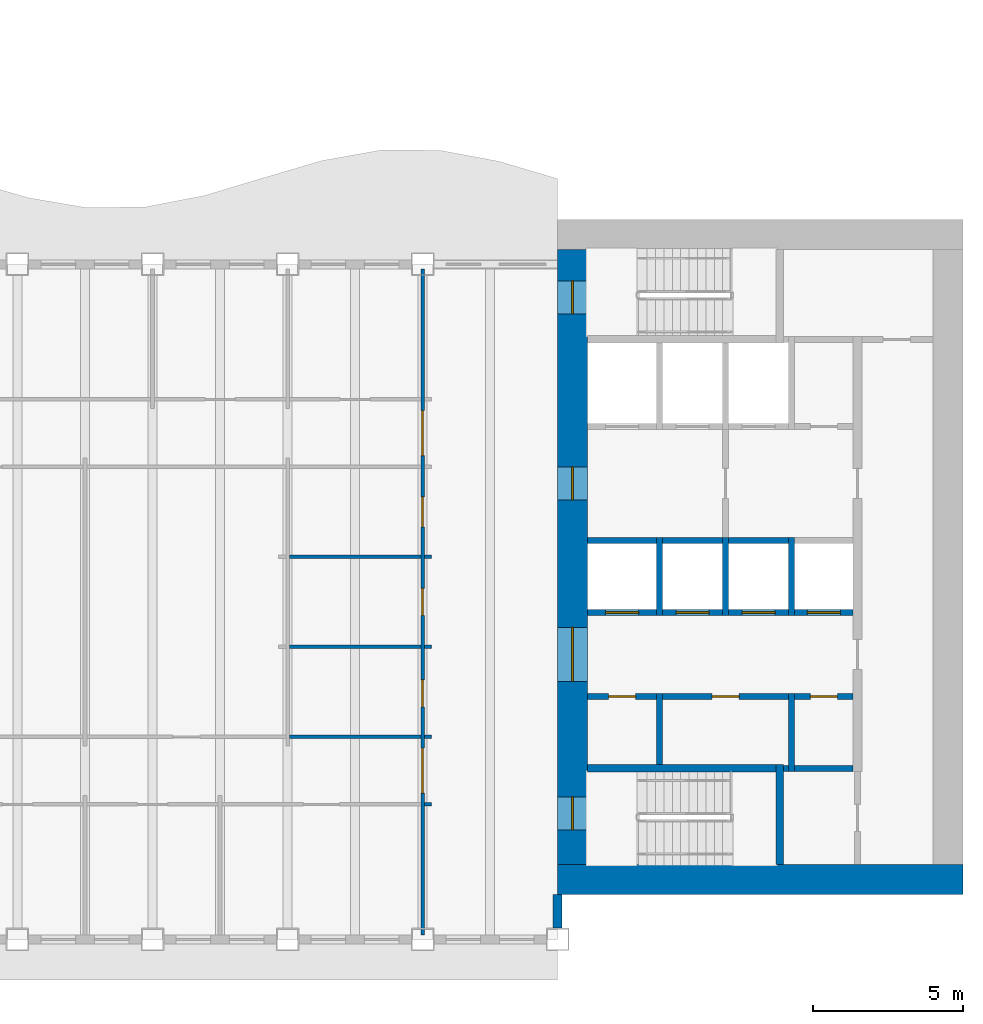
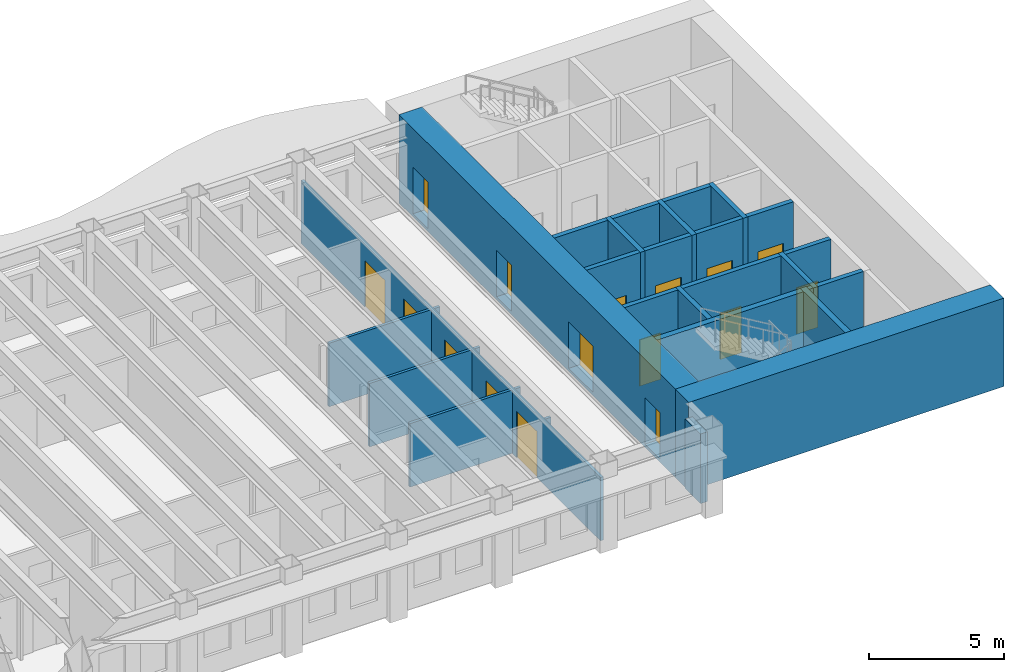
# One storey, part 6 of 17: 30 walls, 16 doors, 16 openings.
"""IFC4 building model written with IfcOpenShell, lengths in metres."""

from ifc_helpers import new_model, si_unit, direction, frame, frame_2d, origin, place, context, subcontext, project, spatial, rectangle, extrude, material, layer, layer_set, type_object, element, fill, save


model = new_model("IFC4")

# Units and contexts
model_context = context("Model", 3, precision=1e-05, world=origin(), true_north=direction((0.0, 1.0)))
body_context = subcontext(model_context, "Body", "Model", "MODEL_VIEW")
ifc_project = project(units=[si_unit("LENGTHUNIT", "METRE"), si_unit("AREAUNIT", "SQUARE_METRE"), si_unit("VOLUMEUNIT", "CUBIC_METRE"), si_unit("PLANEANGLEUNIT", "RADIAN"), si_unit("MASSUNIT", "GRAM", prefix="KILO")], contexts=[model_context])

# Site, building, storey
site_placement = place(None, origin())
site = spatial("IfcSite", under=ifc_project, at=site_placement, CompositionType="ELEMENT")
building_placement = place(site_placement, origin())
building = spatial("IfcBuilding", under=site, at=building_placement, Name="Sennacour Bend Tower", CompositionType="ELEMENT")
storey_placement = place(building_placement, frame((0.0, 0.0, 219.0)))
storey = spatial("IfcBuildingStorey", under=building, at=storey_placement, Name="L50", CompositionType="ELEMENT", Elevation=219.0)

# Wall
ifc_material_1 = material(Name="Concrete C60/75", Category="concrete")
ifc_layer_1 = layer(ifc_material_1, 1.0, Name="Concrete C60/75", Category="concrete")
ifc_layer_set_1 = layer_set([ifc_layer_1], Name="Concrete C60/75")
wall_type_1 = type_object("IfcWallType", Name="Core wall 1000 C60/75", PredefinedType="SHEAR", material=ifc_layer_set_1)
wall_1_placement = place(storey_placement, frame((67.5, 0.5, -0.14990234375), z_axis=(0.0, 0.0, 1.0), x_axis=(-1.0, 0.0, 0.0)))
element("IfcWall", 1, at=wall_1_placement, inside=storey, type_object=wall_type_1, Name="Core A wall L50 S", PredefinedType="SHEAR", context=body_context, shape_type="SweptSolid", body=[
    extrude(rectangle(XDim=13.5, YDim=1.0, at=frame_2d((6.75, 0.0))), origin(), (0.0, 0.0, 1.0), 4.0),
])

# Wall, openings, doors
wall_2_placement = place(storey_placement, frame((54.5, 1.0, -0.14990234375), z_axis=(0.0, 0.0, 1.0), x_axis=(0.0, 1.0, 0.0)))
wall_2 = element("IfcWall", 2, at=wall_2_placement, inside=storey, type_object=wall_type_1, Name="Core A wall L50 W", PredefinedType="SHEAR", context=body_context, shape_type="SweptSolid", body=[
    extrude(rectangle(XDim=20.5, YDim=1.0, at=frame_2d((10.25, 0.0))), origin(), (0.0, 0.0, 1.0), 4.0),
])
opening_1_placement = place(wall_2_placement, frame((6.10009765625, 0.0, 0.14990234375)))
opening_1 = element("IfcOpeningElement", 3, at=opening_1_placement, cuts=wall_2, Name="Opening CD", PredefinedType="OPENING", context=body_context, shape_type="SweptSolid", body=[
    extrude(rectangle(XDim=1.800048828125, YDim=2.10009765625, at=frame_2d((0.89990234375, 1.050048828125))), frame((0.0, 0.510009765625, 0.0), z_axis=(0.0, -1.0, 0.0), x_axis=(1.0, 0.0, 0.0)), (0.0, 0.0, 1.0), 1.02001953125),
])
opening_2_placement = place(wall_2_placement, frame((12.14990234375, 0.0, 0.14990234375)))
opening_2 = element("IfcOpeningElement", 4, at=opening_2_placement, cuts=wall_2, Name="Opening FD", PredefinedType="OPENING", context=body_context, shape_type="SweptSolid", body=[
    extrude(rectangle(XDim=1.10009765625, YDim=2.10009765625, at=frame_2d((0.550048828125, 1.050048828125))), frame((0.0, 0.510009765625, 0.0), z_axis=(0.0, -1.0, 0.0), x_axis=(1.0, 0.0, 0.0)), (0.0, 0.0, 1.0), 1.02001953125),
])
opening_3_placement = place(wall_2_placement, frame((1.14990234375, 0.0, 0.14990234375)))
opening_3 = element("IfcOpeningElement", 5, at=opening_3_placement, cuts=wall_2, Name="Opening SD", PredefinedType="OPENING", context=body_context, shape_type="SweptSolid", body=[
    extrude(rectangle(XDim=1.10009765625, YDim=2.10009765625, at=frame_2d((0.550048828125, 1.050048828125))), frame((0.0, 0.510009765625, 0.0), z_axis=(0.0, -1.0, 0.0), x_axis=(1.0, 0.0, 0.0)), (0.0, 0.0, 1.0), 1.02001953125),
])
opening_4_placement = place(wall_2_placement, frame((18.35009765625, 0.0, 0.14990234375)))
opening_4 = element("IfcOpeningElement", 6, at=opening_4_placement, cuts=wall_2, Name="Opening SD", PredefinedType="OPENING", context=body_context, shape_type="SweptSolid", body=[
    extrude(rectangle(XDim=1.10009765625, YDim=2.10009765625, at=frame_2d((0.550048828125, 1.050048828125))), frame((0.0, 0.510009765625, 0.0), z_axis=(0.0, -1.0, 0.0), x_axis=(1.0, 0.0, 0.0)), (0.0, 0.0, 1.0), 1.02001953125),
])
ifc_material_2 = material(Name="Painted steel", Category="steel")
door_type_1 = type_object("IfcDoorType", Name="DR-FFL-1100", OperationType="NOTDEFINED", PredefinedType="DOOR", material=ifc_material_2)
door_1_placement = place(opening_2_placement, origin())
door_1 = element("IfcDoor", 7, at=door_1_placement, inside=storey, type_object=door_type_1, Name="Door", OperationType="SINGLE_SWING_RIGHT", OverallHeight=2.10009765625, OverallWidth=1.10009765625, PredefinedType="DOOR", context=body_context, shape_type="SweptSolid", body=[
    extrude(rectangle(XDim=1.10009765625, YDim=2.10009765625, at=frame_2d((0.550048828125, 1.050048828125))), frame((0.0, 0.02490234375, 0.0), z_axis=(0.0, -1.0, 0.0), x_axis=(1.0, 0.0, 0.0)), (0.0, 0.0, 1.0), 0.050048828125),
])
fill(opening_2, door_1)
door_type_2 = type_object("IfcDoorType", Name="DR-LOBBY-1800", OperationType="NOTDEFINED", PredefinedType="DOOR", material=ifc_material_2)
door_2_placement = place(opening_1_placement, origin())
door_2 = element("IfcDoor", 8, at=door_2_placement, inside=storey, type_object=door_type_2, Name="Door", OperationType="DOUBLE_DOOR_SINGLE_SWING", OverallHeight=2.10009765625, OverallWidth=1.800048828125, PredefinedType="DOOR", context=body_context, shape_type="SweptSolid", body=[
    extrude(rectangle(XDim=1.800048828125, YDim=2.10009765625, at=frame_2d((0.89990234375, 1.050048828125))), frame((0.0, 0.02490234375, 0.0), z_axis=(0.0, -1.0, 0.0), x_axis=(1.0, 0.0, 0.0)), (0.0, 0.0, 1.0), 0.050048828125),
])
fill(opening_1, door_2)
door_type_3 = type_object("IfcDoorType", Name="DR-STAIR-1100", OperationType="NOTDEFINED", PredefinedType="DOOR", material=ifc_material_2)
door_3_placement = place(opening_3_placement, origin())
door_3 = element("IfcDoor", 9, at=door_3_placement, inside=storey, type_object=door_type_3, Name="Door", OperationType="SINGLE_SWING_LEFT", OverallHeight=2.10009765625, OverallWidth=1.10009765625, PredefinedType="DOOR", context=body_context, shape_type="SweptSolid", body=[
    extrude(rectangle(XDim=1.10009765625, YDim=2.10009765625, at=frame_2d((0.550048828125, 1.050048828125))), frame((0.0, 0.02490234375, 0.0), z_axis=(0.0, -1.0, 0.0), x_axis=(1.0, 0.0, 0.0)), (0.0, 0.0, 1.0), 0.050048828125),
])
fill(opening_3, door_3)
door_4_placement = place(opening_4_placement, origin())
door_4 = element("IfcDoor", 10, at=door_4_placement, inside=storey, type_object=door_type_3, Name="Door", OperationType="SINGLE_SWING_RIGHT", OverallHeight=2.10009765625, OverallWidth=1.10009765625, PredefinedType="DOOR", context=body_context, shape_type="SweptSolid", body=[
    extrude(rectangle(XDim=1.10009765625, YDim=2.10009765625, at=frame_2d((0.550048828125, 1.050048828125))), frame((0.0, 0.02490234375, 0.0), z_axis=(0.0, -1.0, 0.0), x_axis=(1.0, 0.0, 0.0)), (0.0, 0.0, 1.0), 0.050048828125),
])
fill(opening_4, door_4)

# Walls
ifc_material_3 = material(Name="Plasterboard partition on steel studs", Category="steel")
ifc_layer_2 = layer(ifc_material_3, 0.1201171875, Name="Plasterboard partition on steel studs", Category="steel")
ifc_layer_set_2 = layer_set([ifc_layer_2], Name="Plasterboard partition on steel studs")
wall_type_2 = type_object("IfcWallType", Name="Partition 120", PredefinedType="PARTITIONING", material=ifc_layer_set_2)
wall_3_placement = place(storey_placement, frame((49.56005859375, 3.0, 0.0), z_axis=(0.0, 0.0, 1.0), x_axis=(1.0, 0.0, 0.0)))
element("IfcWall", 11, at=wall_3_placement, inside=storey, type_object=wall_type_2, Name="P-L50-W050ah", PredefinedType="PARTITIONING", context=body_context, shape_type="SweptSolid", body=[
    extrude(rectangle(XDim=0.239990234375, YDim=0.1201171875, at=frame_2d((0.1201171875, 0.0))), origin(), (0.0, 0.0, 1.0), 2.8701171875),
])
wall_4_placement = place(storey_placement, frame((45.06005859375, 5.25, 0.0), z_axis=(0.0, 0.0, 1.0), x_axis=(1.0, 0.0, 0.0)))
element("IfcWall", 12, at=wall_4_placement, inside=storey, type_object=wall_type_2, Name="P-L50-W056ae", PredefinedType="PARTITIONING", context=body_context, shape_type="SweptSolid", body=[
    extrude(rectangle(XDim=4.3798828125, YDim=0.1201171875, at=frame_2d((2.18994140625, 0.0))), origin(), (0.0, 0.0, 1.0), 2.8701171875),
])
wall_5_placement = place(storey_placement, frame((49.56005859375, 5.25, 0.0), z_axis=(0.0, 0.0, 1.0), x_axis=(1.0, 0.0, 0.0)))
element("IfcWall", 13, at=wall_5_placement, inside=storey, type_object=wall_type_2, Name="P-L50-W056af", PredefinedType="PARTITIONING", context=body_context, shape_type="SweptSolid", body=[
    extrude(rectangle(XDim=0.239990234375, YDim=0.1201171875, at=frame_2d((0.1201171875, 0.0))), origin(), (0.0, 0.0, 1.0), 2.8701171875),
])
wall_6_placement = place(storey_placement, frame((45.06005859375, 8.25, 0.0), z_axis=(0.0, 0.0, 1.0), x_axis=(1.0, 0.0, 0.0)))
element("IfcWall", 14, at=wall_6_placement, inside=storey, type_object=wall_type_2, Name="P-L50-W059ab", PredefinedType="PARTITIONING", context=body_context, shape_type="SweptSolid", body=[
    extrude(rectangle(XDim=4.3798828125, YDim=0.1201171875, at=frame_2d((2.18994140625, 0.0))), origin(), (0.0, 0.0, 1.0), 2.8701171875),
])
wall_7_placement = place(storey_placement, frame((49.56005859375, 8.25, 0.0), z_axis=(0.0, 0.0, 1.0), x_axis=(1.0, 0.0, 0.0)))
element("IfcWall", 15, at=wall_7_placement, inside=storey, type_object=wall_type_2, Name="P-L50-W059ac", PredefinedType="PARTITIONING", context=body_context, shape_type="SweptSolid", body=[
    extrude(rectangle(XDim=0.239990234375, YDim=0.1201171875, at=frame_2d((0.1201171875, 0.0))), origin(), (0.0, 0.0, 1.0), 2.8701171875),
])
wall_8_placement = place(storey_placement, frame((45.06005859375, 11.25, 0.0), z_axis=(0.0, 0.0, 1.0), x_axis=(1.0, 0.0, 0.0)))
element("IfcWall", 16, at=wall_8_placement, inside=storey, type_object=wall_type_2, Name="P-L50-W062ab", PredefinedType="PARTITIONING", context=body_context, shape_type="SweptSolid", body=[
    extrude(rectangle(XDim=4.3798828125, YDim=0.1201171875, at=frame_2d((2.18994140625, 0.0))), origin(), (0.0, 0.0, 1.0), 2.8701171875),
])
wall_9_placement = place(storey_placement, frame((49.56005859375, 11.25, 0.0), z_axis=(0.0, 0.0, 1.0), x_axis=(1.0, 0.0, 0.0)))
element("IfcWall", 17, at=wall_9_placement, inside=storey, type_object=wall_type_2, Name="P-L50-W062ac", PredefinedType="PARTITIONING", context=body_context, shape_type="SweptSolid", body=[
    extrude(rectangle(XDim=0.239990234375, YDim=0.1201171875, at=frame_2d((0.1201171875, 0.0))), origin(), (0.0, 0.0, 1.0), 2.8701171875),
])

# Wall, openings, doors
ifc_layer_3 = layer(ifc_material_3, 0.1201171875, Name="Plasterboard partition on steel studs", Category="steel")
ifc_layer_set_3 = layer_set([ifc_layer_3], Name="Plasterboard partition on steel studs")
wall_type_3 = type_object("IfcWallType", Name="Partition 120 EI 30", PredefinedType="PARTITIONING", material=ifc_layer_set_3)
wall_10_placement = place(storey_placement, frame((49.5, -1.35009765625, 0.0), z_axis=(0.0, 0.0, 1.0), x_axis=(0.0, 1.0, 0.0)))
wall_10 = element("IfcWall", 18, at=wall_10_placement, inside=storey, type_object=wall_type_3, Name="P-L50-W033a", PredefinedType="PARTITIONING", context=body_context, shape_type="SweptSolid", body=[
    extrude(rectangle(XDim=22.2001953125, YDim=0.1201171875, at=frame_2d((11.10009765625, 0.0))), origin(), (0.0, 0.0, 1.0), 2.8701171875),
])
opening_5_placement = place(wall_10_placement, frame((4.72509765625, 0.0, 0.0)))
opening_5 = element("IfcOpeningElement", 19, at=opening_5_placement, cuts=wall_10, Name="Opening KD", PredefinedType="OPENING", context=body_context, shape_type="SweptSolid", body=[
    extrude(rectangle(XDim=1.5, YDim=2.10009765625, at=frame_2d((0.75, 1.050048828125))), frame((0.0, 0.070068359375, 0.0), z_axis=(0.0, -1.0, 0.0), x_axis=(1.0, 0.0, 0.0)), (0.0, 0.0, 1.0), 0.14013671875),
])
opening_6_placement = place(wall_10_placement, frame((15.97509765625, 0.0, 0.0)))
opening_6 = element("IfcOpeningElement", 20, at=opening_6_placement, cuts=wall_10, Name="Opening KD", PredefinedType="OPENING", context=body_context, shape_type="SweptSolid", body=[
    extrude(rectangle(XDim=1.5, YDim=2.10009765625, at=frame_2d((0.75, 1.050048828125))), frame((0.0, 0.070068359375, 0.0), z_axis=(0.0, -1.0, 0.0), x_axis=(1.0, 0.0, 0.0)), (0.0, 0.0, 1.0), 0.14013671875),
])
opening_7_placement = place(wall_10_placement, frame((7.60009765625, 0.0, 0.0)))
opening_7 = element("IfcOpeningElement", 21, at=opening_7_placement, cuts=wall_10, Name="Opening WD", PredefinedType="OPENING", context=body_context, shape_type="SweptSolid", body=[
    extrude(rectangle(XDim=0.89990234375, YDim=2.10009765625, at=frame_2d((0.449951171875, 1.050048828125))), frame((0.0, 0.070068359375, 0.0), z_axis=(0.0, -1.0, 0.0), x_axis=(1.0, 0.0, 0.0)), (0.0, 0.0, 1.0), 0.14013671875),
])
opening_8_placement = place(wall_10_placement, frame((10.650146484375, 0.0, 0.0)))
opening_8 = element("IfcOpeningElement", 22, at=opening_8_placement, cuts=wall_10, Name="Opening WD", PredefinedType="OPENING", context=body_context, shape_type="SweptSolid", body=[
    extrude(rectangle(XDim=0.89990234375, YDim=2.10009765625, at=frame_2d((0.449951171875, 1.050048828125))), frame((0.0, 0.070068359375, 0.0), z_axis=(0.0, -1.0, 0.0), x_axis=(1.0, 0.0, 0.0)), (0.0, 0.0, 1.0), 0.14013671875),
])
opening_9_placement = place(wall_10_placement, frame((13.60009765625, 0.0, 0.0)))
opening_9 = element("IfcOpeningElement", 23, at=opening_9_placement, cuts=wall_10, Name="Opening AD", PredefinedType="OPENING", context=body_context, shape_type="SweptSolid", body=[
    extrude(rectangle(XDim=1.0, YDim=2.10009765625, at=frame_2d((0.5, 1.050048828125))), frame((0.0, 0.070068359375, 0.0), z_axis=(0.0, -1.0, 0.0), x_axis=(1.0, 0.0, 0.0)), (0.0, 0.0, 1.0), 0.14013671875),
])
ifc_material_4 = material(Name="Timber", Category="wood")
door_type_4 = type_object("IfcDoorType", Name="DR-ACC-WC-1000", OperationType="NOTDEFINED", PredefinedType="DOOR", material=ifc_material_4)
door_5_placement = place(opening_9_placement, origin())
door_5 = element("IfcDoor", 24, at=door_5_placement, inside=storey, type_object=door_type_4, Name="Door", OperationType="SINGLE_SWING_RIGHT", OverallHeight=2.10009765625, OverallWidth=1.0, PredefinedType="DOOR", context=body_context, shape_type="SweptSolid", body=[
    extrude(rectangle(XDim=1.0, YDim=2.10009765625, at=frame_2d((0.5, 1.050048828125))), frame((0.0, 0.02490234375, 0.0), z_axis=(0.0, -1.0, 0.0), x_axis=(1.0, 0.0, 0.0)), (0.0, 0.0, 1.0), 0.050048828125),
])
fill(opening_9, door_5)
door_type_5 = type_object("IfcDoorType", Name="DR-CORRIDOR-1500", OperationType="NOTDEFINED", PredefinedType="DOOR", material=ifc_material_2)
door_6_placement = place(opening_5_placement, origin())
door_6 = element("IfcDoor", 25, at=door_6_placement, inside=storey, type_object=door_type_5, Name="Door", OperationType="SINGLE_SWING_LEFT", OverallHeight=2.10009765625, OverallWidth=1.5, PredefinedType="DOOR", context=body_context, shape_type="SweptSolid", body=[
    extrude(rectangle(XDim=1.5, YDim=2.10009765625, at=frame_2d((0.75, 1.050048828125))), frame((0.0, 0.02490234375, 0.0), z_axis=(0.0, -1.0, 0.0), x_axis=(1.0, 0.0, 0.0)), (0.0, 0.0, 1.0), 0.050048828125),
])
fill(opening_5, door_6)
door_7_placement = place(opening_6_placement, origin())
door_7 = element("IfcDoor", 26, at=door_7_placement, inside=storey, type_object=door_type_5, Name="Door", OperationType="SINGLE_SWING_RIGHT", OverallHeight=2.10009765625, OverallWidth=1.5, PredefinedType="DOOR", context=body_context, shape_type="SweptSolid", body=[
    extrude(rectangle(XDim=1.5, YDim=2.10009765625, at=frame_2d((0.75, 1.050048828125))), frame((0.0, 0.02490234375, 0.0), z_axis=(0.0, -1.0, 0.0), x_axis=(1.0, 0.0, 0.0)), (0.0, 0.0, 1.0), 0.050048828125),
])
fill(opening_6, door_7)
door_type_6 = type_object("IfcDoorType", Name="DR-WC-900", OperationType="NOTDEFINED", PredefinedType="DOOR", material=ifc_material_4)
door_8_placement = place(opening_7_placement, origin())
door_8 = element("IfcDoor", 27, at=door_8_placement, inside=storey, type_object=door_type_6, Name="Door", OperationType="SINGLE_SWING_LEFT", OverallHeight=2.10009765625, OverallWidth=0.89990234375, PredefinedType="DOOR", context=body_context, shape_type="SweptSolid", body=[
    extrude(rectangle(XDim=0.89990234375, YDim=2.10009765625, at=frame_2d((0.449951171875, 1.050048828125))), frame((0.0, 0.02490234375, 0.0), z_axis=(0.0, -1.0, 0.0), x_axis=(1.0, 0.0, 0.0)), (0.0, 0.0, 1.0), 0.050048828125),
])
fill(opening_7, door_8)
door_9_placement = place(opening_8_placement, origin())
door_9 = element("IfcDoor", 28, at=door_9_placement, inside=storey, type_object=door_type_6, Name="Door", OperationType="SINGLE_SWING_RIGHT", OverallHeight=2.10009765625, OverallWidth=0.89990234375, PredefinedType="DOOR", context=body_context, shape_type="SweptSolid", body=[
    extrude(rectangle(XDim=0.89990234375, YDim=2.10009765625, at=frame_2d((0.449951171875, 1.050048828125))), frame((0.0, 0.02490234375, 0.0), z_axis=(0.0, -1.0, 0.0), x_axis=(1.0, 0.0, 0.0)), (0.0, 0.0, 1.0), 0.050048828125),
])
fill(opening_8, door_9)

# Walls
ifc_material_5 = material(Name="Fire-rated plasterboard partition on steel studs", Category="steel")
ifc_layer_4 = layer(ifc_material_5, 0.199951171875, Name="Fire-rated plasterboard partition on steel studs", Category="steel")
ifc_layer_set_4 = layer_set([ifc_layer_4], Name="Fire-rated plasterboard partition on steel studs")
wall_type_4 = type_object("IfcWallType", Name="Rated partition 200", PredefinedType="PARTITIONING", material=ifc_layer_set_4)
wall_11_placement = place(storey_placement, frame((57.39990234375, 4.324951171875, 0.0), z_axis=(0.0, 0.0, 1.0), x_axis=(0.0, 1.0, 0.0)))
element("IfcWall", 29, at=wall_11_placement, inside=storey, type_object=wall_type_4, Name="P-L50-W035", PredefinedType="PARTITIONING", context=body_context, shape_type="SweptSolid", body=[
    extrude(rectangle(XDim=2.375, YDim=0.199951171875, at=frame_2d((1.1875, 0.0))), origin(), (0.0, 0.0, 1.0), 3.85009765625),
])
wall_12_placement = place(storey_placement, frame((61.800048828125, 4.10009765625, 0.0), z_axis=(0.0, 0.0, 1.0), x_axis=(0.0, 1.0, 0.0)))
element("IfcWall", 30, at=wall_12_placement, inside=storey, type_object=wall_type_4, Name="P-L50-W043", PredefinedType="PARTITIONING", context=body_context, shape_type="SweptSolid", body=[
    extrude(rectangle(XDim=2.599853515625, YDim=0.199951171875, at=frame_2d((1.2998046875, 0.0))), origin(), (0.0, 0.0, 1.0), 3.85009765625),
])
wall_13_placement = place(storey_placement, frame((61.52490234375, 4.199951171875, 0.0), z_axis=(0.0, 0.0, 1.0), x_axis=(1.0, 0.0, 0.0)))
element("IfcWall", 31, at=wall_13_placement, inside=storey, type_object=wall_type_4, Name="P-L50-W055a", PredefinedType="PARTITIONING", context=body_context, shape_type="SweptSolid", body=[
    extrude(rectangle(XDim=0.175048828125, YDim=0.199951171875, at=frame_2d((0.08740234375, 0.0))), origin(), (0.0, 0.0, 1.0), 3.85009765625),
])
wall_14_placement = place(storey_placement, frame((61.89990234375, 4.199951171875, 0.0), z_axis=(0.0, 0.0, 1.0), x_axis=(1.0, 0.0, 0.0)))
element("IfcWall", 32, at=wall_14_placement, inside=storey, type_object=wall_type_4, Name="P-L50-W055b", PredefinedType="PARTITIONING", context=body_context, shape_type="SweptSolid", body=[
    extrude(rectangle(XDim=1.9501953125, YDim=0.199951171875, at=frame_2d((0.97509765625, 0.0))), origin(), (0.0, 0.0, 1.0), 3.85009765625),
])

# Wall, opening, door
wall_15_placement = place(storey_placement, frame((55.0, 6.60009765625, 0.0), z_axis=(0.0, 0.0, 1.0), x_axis=(1.0, 0.0, 0.0)))
wall_15 = element("IfcWall", 33, at=wall_15_placement, inside=storey, type_object=wall_type_4, Name="P-L50-W057a", PredefinedType="PARTITIONING", context=body_context, shape_type="SweptSolid", body=[
    extrude(rectangle(XDim=2.300048828125, YDim=0.199951171875, at=frame_2d((1.14990234375, 0.0))), origin(), (0.0, 0.0, 1.0), 3.85009765625),
])
opening_10_placement = place(wall_15_placement, frame((0.699951171875, 0.0, 0.0)))
opening_10 = element("IfcOpeningElement", 34, at=opening_10_placement, cuts=wall_15, Name="Opening SV", PredefinedType="OPENING", context=body_context, shape_type="SweptSolid", body=[
    extrude(rectangle(XDim=0.89990234375, YDim=2.10009765625, at=frame_2d((0.449951171875, 1.050048828125))), frame((0.0, 0.10986328125, 0.0), z_axis=(0.0, -1.0, 0.0), x_axis=(1.0, 0.0, 0.0)), (0.0, 0.0, 1.0), 0.219970703125),
])
door_type_7 = type_object("IfcDoorType", Name="DR-SERVICE-900", OperationType="NOTDEFINED", PredefinedType="DOOR", material=ifc_material_2)
door_10_placement = place(opening_10_placement, origin())
door_10 = element("IfcDoor", 35, at=door_10_placement, inside=storey, type_object=door_type_7, Name="Door", OperationType="SINGLE_SWING_LEFT", OverallHeight=2.10009765625, OverallWidth=0.89990234375, PredefinedType="DOOR", context=body_context, shape_type="SweptSolid", body=[
    extrude(rectangle(XDim=0.89990234375, YDim=2.10009765625, at=frame_2d((0.449951171875, 1.050048828125))), frame((0.0, 0.02490234375, 0.0), z_axis=(0.0, -1.0, 0.0), x_axis=(1.0, 0.0, 0.0)), (0.0, 0.0, 1.0), 0.050048828125),
])
fill(opening_10, door_10)

wall_16_placement = place(storey_placement, frame((57.5, 6.60009765625, 0.0), z_axis=(0.0, 0.0, 1.0), x_axis=(1.0, 0.0, 0.0)))
wall_16 = element("IfcWall", 36, at=wall_16_placement, inside=storey, type_object=wall_type_4, Name="P-L50-W057b", PredefinedType="PARTITIONING", context=body_context, shape_type="SweptSolid", body=[
    extrude(rectangle(XDim=4.199951171875, YDim=0.199951171875, at=frame_2d((2.10009765625, 0.0))), origin(), (0.0, 0.0, 1.0), 3.85009765625),
])
opening_11_placement = place(wall_16_placement, frame((1.64990234375, 0.0, 0.0)))
opening_11 = element("IfcOpeningElement", 37, at=opening_11_placement, cuts=wall_16, Name="Opening WD", PredefinedType="OPENING", context=body_context, shape_type="SweptSolid", body=[
    extrude(rectangle(XDim=0.89990234375, YDim=2.10009765625, at=frame_2d((0.449951171875, 1.050048828125))), frame((0.0, 0.10986328125, 0.0), z_axis=(0.0, -1.0, 0.0), x_axis=(1.0, 0.0, 0.0)), (0.0, 0.0, 1.0), 0.219970703125),
])
door_11_placement = place(opening_11_placement, origin())
door_11 = element("IfcDoor", 38, at=door_11_placement, inside=storey, type_object=door_type_6, Name="Door", OperationType="SINGLE_SWING_RIGHT", OverallHeight=2.10009765625, OverallWidth=0.89990234375, PredefinedType="DOOR", context=body_context, shape_type="SweptSolid", body=[
    extrude(rectangle(XDim=0.89990234375, YDim=2.10009765625, at=frame_2d((0.449951171875, 1.050048828125))), frame((0.0, 0.02490234375, 0.0), z_axis=(0.0, -1.0, 0.0), x_axis=(1.0, 0.0, 0.0)), (0.0, 0.0, 1.0), 0.050048828125),
])
fill(opening_11, door_11)

wall_17_placement = place(storey_placement, frame((61.89990234375, 6.60009765625, 0.0), z_axis=(0.0, 0.0, 1.0), x_axis=(1.0, 0.0, 0.0)))
wall_17 = element("IfcWall", 39, at=wall_17_placement, inside=storey, type_object=wall_type_4, Name="P-L50-W057c", PredefinedType="PARTITIONING", context=body_context, shape_type="SweptSolid", body=[
    extrude(rectangle(XDim=1.9501953125, YDim=0.199951171875, at=frame_2d((0.97509765625, 0.0))), origin(), (0.0, 0.0, 1.0), 3.85009765625),
])
opening_12_placement = place(wall_17_placement, frame((0.525146484375, 0.0, 0.0)))
opening_12 = element("IfcOpeningElement", 40, at=opening_12_placement, cuts=wall_17, Name="Opening SV", PredefinedType="OPENING", context=body_context, shape_type="SweptSolid", body=[
    extrude(rectangle(XDim=0.89990234375, YDim=2.10009765625, at=frame_2d((0.449951171875, 1.050048828125))), frame((0.0, 0.10986328125, 0.0), z_axis=(0.0, -1.0, 0.0), x_axis=(1.0, 0.0, 0.0)), (0.0, 0.0, 1.0), 0.219970703125),
])
door_12_placement = place(opening_12_placement, origin())
door_12 = element("IfcDoor", 41, at=door_12_placement, inside=storey, type_object=door_type_7, Name="Door", OperationType="SINGLE_SWING_LEFT", OverallHeight=2.10009765625, OverallWidth=0.89990234375, PredefinedType="DOOR", context=body_context, shape_type="SweptSolid", body=[
    extrude(rectangle(XDim=0.89990234375, YDim=2.10009765625, at=frame_2d((0.449951171875, 1.050048828125))), frame((0.0, 0.02490234375, 0.0), z_axis=(0.0, -1.0, 0.0), x_axis=(1.0, 0.0, 0.0)), (0.0, 0.0, 1.0), 0.050048828125),
])
fill(opening_12, door_12)

# Walls
ifc_material_6 = material(Name="Warm limestone cladding", Category="masonry")
ifc_layer_5 = layer(ifc_material_6, 0.050048828125, Name="Warm limestone cladding", Category="masonry")
ifc_material_7 = material(Name="Precast concrete C40/50", Category="concrete")
ifc_layer_6 = layer(ifc_material_7, 0.25, Name="Precast concrete C40/50", Category="concrete")
ifc_layer_set_5 = layer_set([ifc_layer_5, ifc_layer_6], Name="Precast concrete C40/50 with limestone cladding")
wall_type_5 = type_object("IfcWallType", Name="STONE-CLAD PRECAST SPANDREL 300", PredefinedType="STANDARD", material=ifc_layer_set_5)
wall_18_placement = place(storey_placement, frame((54.0, -1.125, 0.0), z_axis=(0.0, 0.0, 1.0), x_axis=(0.0, 1.0, 0.0)))
element("IfcWall", 42, at=wall_18_placement, inside=storey, type_object=wall_type_5, Name="Stone spandrel and pier wall L50 01.00", PredefinedType="STANDARD", context=body_context, shape_type="SweptSolid", body=[
    extrude(rectangle(XDim=1.125, YDim=0.300048828125, at=frame_2d((0.5625, 0.0))), origin(), (0.0, 0.0, 1.0), 3.156982421875),
])
ifc_material_8 = material(Name="Concrete C50/60", Category="concrete")
ifc_layer_7 = layer(ifc_material_8, 0.199951171875, Name="Concrete C50/60", Category="concrete")
ifc_layer_set_6 = layer_set([ifc_layer_7], Name="Concrete C50/60")
wall_type_6 = type_object("IfcWallType", Name="Shaft wall 200", PredefinedType="SOLIDWALL", material=ifc_layer_set_6)
for number, where, z_axis, x_axis, name in (
    (43, (57.39990234375, 9.300048828125, 0.0), (0.0, 0.0, 1.0), (0.0, 1.0, 0.0), "P-L50-W036"),
    (44, (59.60009765625, 9.300048828125, 0.0), (0.0, 0.0, 1.0), (0.0, 1.0, 0.0), "P-L50-W038"),
    (45, (61.800048828125, 9.300048828125, 0.0), (0.0, 0.0, 1.0), (0.0, 1.0, 0.0), "P-L50-W044"),
):
    element("IfcWall", number, at=place(storey_placement, frame(where, z_axis=z_axis, x_axis=x_axis)), inside=storey, type_object=wall_type_6, Name=name, PredefinedType="SOLIDWALL", context=body_context, shape_type="SweptSolid", body=[
        extrude(rectangle(XDim=2.599853515625, YDim=0.199951171875, at=frame_2d((1.2998046875, 0.0))), origin(), (0.0, 0.0, 1.0), 3.85009765625),
    ])

# Wall, opening, door
wall_19_placement = place(storey_placement, frame((55.0, 9.39990234375, 0.0), z_axis=(0.0, 0.0, 1.0), x_axis=(1.0, 0.0, 0.0)))
wall_19 = element("IfcWall", 46, at=wall_19_placement, inside=storey, type_object=wall_type_6, Name="P-L50-W061a", PredefinedType="SOLIDWALL", context=body_context, shape_type="SweptSolid", body=[
    extrude(rectangle(XDim=2.300048828125, YDim=0.199951171875, at=frame_2d((1.14990234375, 0.0))), origin(), (0.0, 0.0, 1.0), 3.85009765625),
])
opening_13_placement = place(wall_19_placement, frame((0.60009765625, 0.0, 0.011962890625)))
opening_13 = element("IfcOpeningElement", 47, at=opening_13_placement, cuts=wall_19, Name="Opening LD", PredefinedType="OPENING", context=body_context, shape_type="SweptSolid", body=[
    extrude(rectangle(XDim=1.10009765625, YDim=2.10009765625, at=frame_2d((0.550048828125, 1.050048828125))), frame((0.0, 0.10986328125, 0.0), z_axis=(0.0, -1.0, 0.0), x_axis=(1.0, 0.0, 0.0)), (0.0, 0.0, 1.0), 0.219970703125),
])
ifc_material_9 = material(Name="Stainless steel", Category="steel")
door_type_8 = type_object("IfcDoorType", Name="DR-LANDING-1100", OperationType="NOTDEFINED", PredefinedType="DOOR", material=ifc_material_9)
door_13_placement = place(opening_13_placement, origin())
door_13 = element("IfcDoor", 48, at=door_13_placement, inside=storey, type_object=door_type_8, Name="Lift landing door HA1", OperationType="SLIDING_TO_LEFT", OverallHeight=2.10009765625, OverallWidth=1.10009765625, PredefinedType="DOOR", context=body_context, shape_type="SweptSolid", body=[
    extrude(rectangle(XDim=1.10009765625, YDim=2.10009765625, at=frame_2d((0.550048828125, 1.050048828125))), frame((0.0, 0.02490234375, 0.0), z_axis=(0.0, -1.0, 0.0), x_axis=(1.0, 0.0, 0.0)), (0.0, 0.0, 1.0), 0.050048828125),
])
fill(opening_13, door_13)

wall_20_placement = place(storey_placement, frame((57.5, 9.39990234375, 0.0), z_axis=(0.0, 0.0, 1.0), x_axis=(1.0, 0.0, 0.0)))
wall_20 = element("IfcWall", 49, at=wall_20_placement, inside=storey, type_object=wall_type_6, Name="P-L50-W061b", PredefinedType="SOLIDWALL", context=body_context, shape_type="SweptSolid", body=[
    extrude(rectangle(XDim=2.0, YDim=0.199951171875, at=frame_2d((1.0, 0.0))), origin(), (0.0, 0.0, 1.0), 3.85009765625),
])
opening_14_placement = place(wall_20_placement, frame((0.449951171875, 0.0, 0.011962890625)))
opening_14 = element("IfcOpeningElement", 50, at=opening_14_placement, cuts=wall_20, Name="Opening LD", PredefinedType="OPENING", context=body_context, shape_type="SweptSolid", body=[
    extrude(rectangle(XDim=1.10009765625, YDim=2.10009765625, at=frame_2d((0.550048828125, 1.050048828125))), frame((0.0, 0.10986328125, 0.0), z_axis=(0.0, -1.0, 0.0), x_axis=(1.0, 0.0, 0.0)), (0.0, 0.0, 1.0), 0.219970703125),
])
door_14_placement = place(opening_14_placement, origin())
door_14 = element("IfcDoor", 51, at=door_14_placement, inside=storey, type_object=door_type_8, Name="Lift landing door HA2", OperationType="SLIDING_TO_RIGHT", OverallHeight=2.10009765625, OverallWidth=1.10009765625, PredefinedType="DOOR", context=body_context, shape_type="SweptSolid", body=[
    extrude(rectangle(XDim=1.10009765625, YDim=2.10009765625, at=frame_2d((0.550048828125, 1.050048828125))), frame((0.0, 0.02490234375, 0.0), z_axis=(0.0, -1.0, 0.0), x_axis=(1.0, 0.0, 0.0)), (0.0, 0.0, 1.0), 0.050048828125),
])
fill(opening_14, door_14)

wall_21_placement = place(storey_placement, frame((59.699951171875, 9.39990234375, 0.0), z_axis=(0.0, 0.0, 1.0), x_axis=(1.0, 0.0, 0.0)))
wall_21 = element("IfcWall", 52, at=wall_21_placement, inside=storey, type_object=wall_type_6, Name="P-L50-W061c", PredefinedType="SOLIDWALL", context=body_context, shape_type="SweptSolid", body=[
    extrude(rectangle(XDim=2.0, YDim=0.199951171875, at=frame_2d((1.0, 0.0))), origin(), (0.0, 0.0, 1.0), 3.85009765625),
])
opening_15_placement = place(wall_21_placement, frame((0.449951171875, 0.0, 0.011962890625)))
opening_15 = element("IfcOpeningElement", 53, at=opening_15_placement, cuts=wall_21, Name="Opening LD", PredefinedType="OPENING", context=body_context, shape_type="SweptSolid", body=[
    extrude(rectangle(XDim=1.10009765625, YDim=2.10009765625, at=frame_2d((0.550048828125, 1.050048828125))), frame((0.0, 0.10986328125, 0.0), z_axis=(0.0, -1.0, 0.0), x_axis=(1.0, 0.0, 0.0)), (0.0, 0.0, 1.0), 0.219970703125),
])
door_15_placement = place(opening_15_placement, origin())
door_15 = element("IfcDoor", 54, at=door_15_placement, inside=storey, type_object=door_type_8, Name="Lift landing door HA3", OperationType="SLIDING_TO_LEFT", OverallHeight=2.10009765625, OverallWidth=1.10009765625, PredefinedType="DOOR", context=body_context, shape_type="SweptSolid", body=[
    extrude(rectangle(XDim=1.10009765625, YDim=2.10009765625, at=frame_2d((0.550048828125, 1.050048828125))), frame((0.0, 0.02490234375, 0.0), z_axis=(0.0, -1.0, 0.0), x_axis=(1.0, 0.0, 0.0)), (0.0, 0.0, 1.0), 0.050048828125),
])
fill(opening_15, door_15)

wall_22_placement = place(storey_placement, frame((61.89990234375, 9.39990234375, 0.0), z_axis=(0.0, 0.0, 1.0), x_axis=(1.0, 0.0, 0.0)))
wall_22 = element("IfcWall", 55, at=wall_22_placement, inside=storey, type_object=wall_type_6, Name="P-L50-W061d", PredefinedType="SOLIDWALL", context=body_context, shape_type="SweptSolid", body=[
    extrude(rectangle(XDim=1.9501953125, YDim=0.199951171875, at=frame_2d((0.97509765625, 0.0))), origin(), (0.0, 0.0, 1.0), 3.85009765625),
])
opening_16_placement = place(wall_22_placement, frame((0.425048828125, 0.0, 0.011962890625)))
opening_16 = element("IfcOpeningElement", 56, at=opening_16_placement, cuts=wall_22, Name="Opening LD", PredefinedType="OPENING", context=body_context, shape_type="SweptSolid", body=[
    extrude(rectangle(XDim=1.10009765625, YDim=2.10009765625, at=frame_2d((0.550048828125, 1.050048828125))), frame((0.0, 0.10986328125, 0.0), z_axis=(0.0, -1.0, 0.0), x_axis=(1.0, 0.0, 0.0)), (0.0, 0.0, 1.0), 0.219970703125),
])
door_16_placement = place(opening_16_placement, origin())
door_16 = element("IfcDoor", 57, at=door_16_placement, inside=storey, type_object=door_type_8, Name="Lift landing door HA4", OperationType="SLIDING_TO_RIGHT", OverallHeight=2.10009765625, OverallWidth=1.10009765625, PredefinedType="DOOR", context=body_context, shape_type="SweptSolid", body=[
    extrude(rectangle(XDim=1.10009765625, YDim=2.10009765625, at=frame_2d((0.550048828125, 1.050048828125))), frame((0.0, 0.02490234375, 0.0), z_axis=(0.0, -1.0, 0.0), x_axis=(1.0, 0.0, 0.0)), (0.0, 0.0, 1.0), 0.050048828125),
])
fill(opening_16, door_16)

# Walls
wall_23_placement = place(storey_placement, frame((55.0, 11.800048828125, 0.0), z_axis=(0.0, 0.0, 1.0), x_axis=(1.0, 0.0, 0.0)))
element("IfcWall", 58, at=wall_23_placement, inside=storey, type_object=wall_type_6, Name="P-L50-W063a", PredefinedType="SOLIDWALL", context=body_context, shape_type="SweptSolid", body=[
    extrude(rectangle(XDim=2.300048828125, YDim=0.199951171875, at=frame_2d((1.14990234375, 0.0))), origin(), (0.0, 0.0, 1.0), 3.85009765625),
])
for number, where, z_axis, x_axis, name in (
    (59, (57.5, 11.800048828125, 0.0), (0.0, 0.0, 1.0), (1.0, 0.0, 0.0), "P-L50-W063b"),
    (60, (59.699951171875, 11.800048828125, 0.0), (0.0, 0.0, 1.0), (1.0, 0.0, 0.0), "P-L50-W063c"),
):
    element("IfcWall", number, at=place(storey_placement, frame(where, z_axis=z_axis, x_axis=x_axis)), inside=storey, type_object=wall_type_6, Name=name, PredefinedType="SOLIDWALL", context=body_context, shape_type="SweptSolid", body=[
        extrude(rectangle(XDim=2.0, YDim=0.199951171875, at=frame_2d((1.0, 0.0))), origin(), (0.0, 0.0, 1.0), 3.85009765625),
    ])
ifc_layer_8 = layer(ifc_material_1, 0.25, Name="Concrete C60/75", Category="concrete")
ifc_layer_set_7 = layer_set([ifc_layer_8], Name="Concrete C60/75")
wall_type_7 = type_object("IfcWallType", Name="Stair wall 250", PredefinedType="SHEAR", material=ifc_layer_set_7)
wall_24_placement = place(storey_placement, frame((61.39990234375, 1.0, 0.0), z_axis=(0.0, 0.0, 1.0), x_axis=(0.0, 1.0, 0.0)))
element("IfcWall", 61, at=wall_24_placement, inside=storey, type_object=wall_type_7, Name="P-L50-W041", PredefinedType="SHEAR", context=body_context, shape_type="SweptSolid", body=[
    extrude(rectangle(XDim=3.324951171875, YDim=0.25, at=frame_2d((1.66259765625, 0.0))), origin(), (0.0, 0.0, 1.0), 3.85009765625),
])
wall_25_placement = place(storey_placement, frame((55.0, 4.199951171875, 0.0), z_axis=(0.0, 0.0, 1.0), x_axis=(1.0, 0.0, 0.0)))
element("IfcWall", 62, at=wall_25_placement, inside=storey, type_object=wall_type_7, Name="P-L50-W054", PredefinedType="SHEAR", context=body_context, shape_type="SweptSolid", body=[
    extrude(rectangle(XDim=6.27490234375, YDim=0.25, at=frame_2d((3.137451171875, 0.0))), origin(), (0.0, 0.0, 1.0), 3.85009765625),
])

save(model, "model.ifc")
